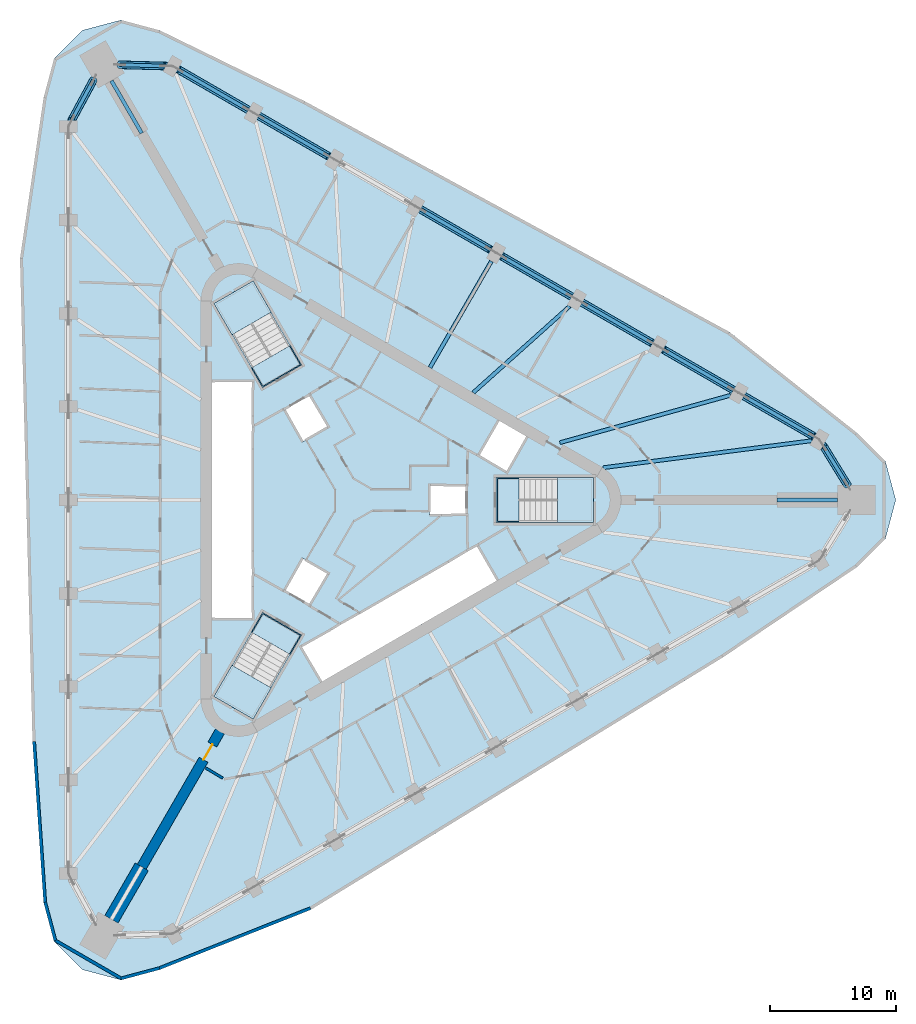
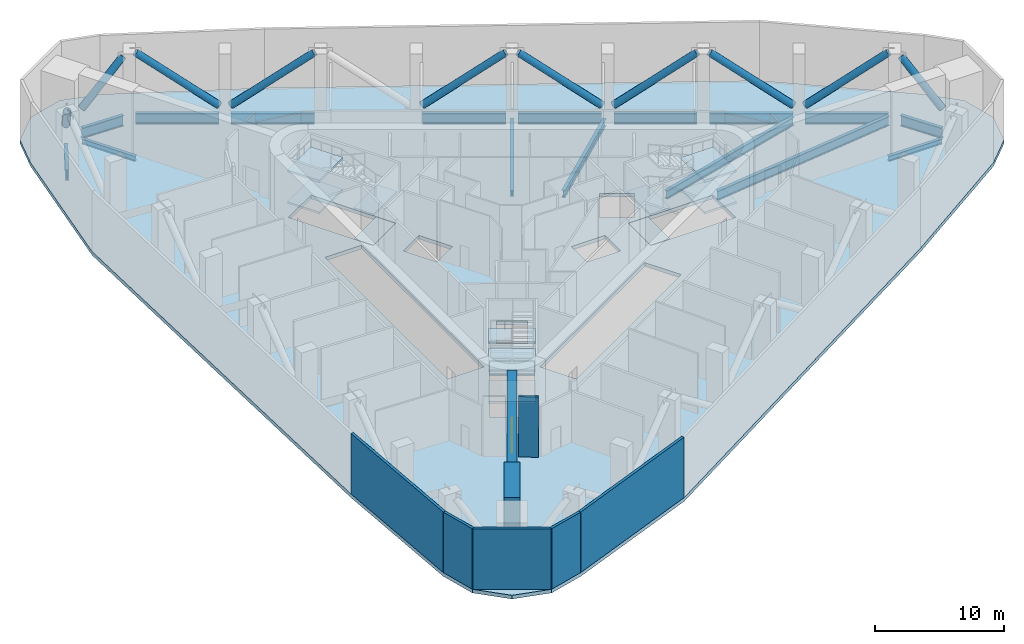
# One storey, part 2 of 13: 16 beams, 13 slabs, 10 members, 8 walls, 1 door, 1 opening, 3 elements without a shape of their own.
"""IFC4 building model written with IfcOpenShell, lengths in metres."""

from ifc_helpers import new_model, si_unit, direction, frame, frame_2d, origin, origin_2d, place, context, subcontext, project, spatial, polyline, rectangle, hollow_circle, i_section, outline, extrude, material, layer, layer_set, material_profile, profile_set, type_object, element, fill, aggregate, save


model = new_model("IFC4")

# Units and contexts
model_context = context("Model", 3, precision=1e-05, world=origin(), true_north=direction((0.0, 1.0)))
body_context = subcontext(model_context, "Body", "Model", "MODEL_VIEW")
ifc_project = project(units=[si_unit("LENGTHUNIT", "METRE"), si_unit("AREAUNIT", "SQUARE_METRE"), si_unit("VOLUMEUNIT", "CUBIC_METRE"), si_unit("PLANEANGLEUNIT", "RADIAN"), si_unit("MASSUNIT", "GRAM", prefix="KILO")], contexts=[model_context])

# Site, building, storey
site_placement = place(None, origin())
site = spatial("IfcSite", under=ifc_project, at=site_placement, CompositionType="ELEMENT")
building_placement = place(site_placement, origin())
building = spatial("IfcBuilding", under=site, at=building_placement, Name="Tanit Gate Tower", CompositionType="ELEMENT")
storey_placement = place(building_placement, frame((0.0, 0.0, 163.199951171875)))
storey = spatial("IfcBuildingStorey", under=building, at=storey_placement, Name="L35", CompositionType="ELEMENT", Elevation=163.199951171875)

# Beams
ifc_material_1 = material(Name="Steel S460", Category="steel")
ifc_material_profile_1 = material_profile(ifc_material_1, i_section(OverallWidth=0.302001953125, OverallDepth=1.008056640625, WebThickness=0.02099609375, FlangeThickness=0.0400390625, FilletRadius=0.030029296875, at=origin_2d()), Name="HEM 1000")
ifc_profile_set_1 = profile_set([ifc_material_profile_1], Name="Steel S460")
beam_type_1 = type_object("IfcBeamType", Name="BELT TRUSS CHORD HEM 1000 S460", PredefinedType="BEAM", material=ifc_profile_set_1)
beam_1_placement = place(storey_placement, frame((39.092529296875, 1.199951171875, -0.85400390625), z_axis=(-0.523601681964, 0.851963190898, 0.0), x_axis=(-0.851963190898, -0.523601681964, 0.0)))
element("IfcBeam", 1, at=beam_1_placement, inside=storey, type_object=beam_type_1, Name="BELT TRUSS CHORD", PredefinedType="BEAM", context=body_context, shape_type="SweptSolid", body=[
    extrude(i_section(OverallWidth=0.302001953125, OverallDepth=1.008056640625, WebThickness=0.02099609375, FlangeThickness=0.0400390625, FilletRadius=0.030029296875, at=origin_2d()), origin(), (0.0, 0.0, 1.0), 3.655029296875),
])
beam_2_placement = place(storey_placement, frame((36.484619140625, 5.01171875, -0.85400390625), z_axis=(-0.866023373617, 0.500003516336, 0.0), x_axis=(-0.500003516336, -0.866023373617, 0.0)))
element("IfcBeam", 2, at=beam_2_placement, inside=storey, type_object=beam_type_1, Name="BELT TRUSS CHORD", PredefinedType="BEAM", context=body_context, shape_type="SweptSolid", body=[
    extrude(i_section(OverallWidth=0.302001953125, OverallDepth=1.008056640625, WebThickness=0.02099609375, FlangeThickness=0.0400390625, FilletRadius=0.030029296875, at=origin_2d()), origin(), (0.0, 0.0, 1.0), 6.44140625),
])
beam_3_placement = place(storey_placement, frame((30.08349609375, 8.707275390625, -0.85400390625), z_axis=(-0.86603284879, 0.49998710465, 0.0), x_axis=(-0.49998710465, -0.86603284879, 0.0)))
element("IfcBeam", 3, at=beam_3_placement, inside=storey, type_object=beam_type_1, Name="BELT TRUSS CHORD", PredefinedType="BEAM", context=body_context, shape_type="SweptSolid", body=[
    extrude(i_section(OverallWidth=0.302001953125, OverallDepth=1.008056640625, WebThickness=0.02099609375, FlangeThickness=0.0400390625, FilletRadius=0.030029296875, at=origin_2d()), origin(), (0.0, 0.0, 1.0), 6.441650390625),
])
for number, where, z_axis, x_axis, name in (
    (4, (23.68212890625, 12.403076171875, -0.85400390625), (-0.866023373617, 0.500003516336, 0.0), (-0.500003516336, -0.866023373617, 0.0), "BELT TRUSS CHORD"),
    (5, (17.281005859375, 16.0986328125, -0.85400390625), (-0.866006961327, 0.500031941914, 0.0), (-0.500031941914, -0.866006961327, 0.0), "BELT TRUSS CHORD"),
    (6, (10.8798828125, 19.79443359375, -0.85400390625), (-0.866023373617, 0.500003516336, 0.0), (-0.500003516336, -0.866023373617, 0.0), "BELT TRUSS CHORD"),
    (7, (-1.922607421875, 27.185791015625, -0.85400390625), (-0.866023373617, 0.500003516336, 0.0), (-0.500003516336, -0.866023373617, 0.0), "BELT TRUSS CHORD"),
    (8, (-8.32373046875, 30.881591796875, -0.85400390625), (-0.866023373617, 0.500003516336, 0.0), (-0.500003516336, -0.866023373617, 0.0), "BELT TRUSS CHORD"),
):
    element("IfcBeam", number, at=place(storey_placement, frame(where, z_axis=z_axis, x_axis=x_axis)), inside=storey, type_object=beam_type_1, Name=name, PredefinedType="BEAM", context=body_context, shape_type="SweptSolid", body=[
        extrude(i_section(OverallWidth=0.302001953125, OverallDepth=1.008056640625, WebThickness=0.02099609375, FlangeThickness=0.0400390625, FilletRadius=0.030029296875, at=origin_2d()), origin(), (0.0, 0.0, 1.0), 6.44140625),
    ])
beam_4_placement = place(storey_placement, frame((-14.853515625, 34.354736328125, -0.85400390625), z_axis=(-0.999623075292, 0.027453730969, 0.0), x_axis=(-0.027453730969, -0.999623075292, 0.0)))
element("IfcBeam", 9, at=beam_4_placement, inside=storey, type_object=beam_type_1, Name="BELT TRUSS CHORD", PredefinedType="BEAM", context=body_context, shape_type="SweptSolid", body=[
    extrude(i_section(OverallWidth=0.302001953125, OverallDepth=1.008056640625, WebThickness=0.02099609375, FlangeThickness=0.0400390625, FilletRadius=0.030029296875, at=origin_2d()), origin(), (0.0, 0.0, 1.0), 3.655029296875),
])
beam_5_placement = place(storey_placement, frame((-20.585693359375, 33.255126953125, -0.85400390625), z_axis=(-0.475943110339, -0.879476068873, 0.0), x_axis=(0.879476068873, -0.475943110339, 0.0)))
element("IfcBeam", 10, at=beam_5_placement, inside=storey, type_object=beam_type_1, Name="BELT TRUSS CHORD", PredefinedType="BEAM", context=body_context, shape_type="SweptSolid", body=[
    extrude(i_section(OverallWidth=0.302001953125, OverallDepth=1.008056640625, WebThickness=0.02099609375, FlangeThickness=0.0400390625, FilletRadius=0.030029296875, at=origin_2d()), origin(), (0.0, 0.0, 1.0), 3.65478515625),
])

# Members
ifc_material_2 = material(Name="Steel S460", Category="steel")
ifc_material_profile_2 = material_profile(ifc_material_2, hollow_circle(Radius=0.304931640625, WallThickness=0.02490234375, at=origin_2d()), Name="CHS 610x25")
ifc_profile_set_2 = profile_set([ifc_material_profile_2], Name="Steel S460")
member_type = type_object("IfcMemberType", Name="BELT TRUSS DIAGONAL CHS 610x25 S460", PredefinedType="BRACE", material=ifc_profile_set_2)
member_1_placement = place(storey_placement, frame((39.092529296875, 1.199951171875, 1.432861328125), z_axis=(-0.367081957181, 0.597286690119, 0.713091471355), x_axis=(-0.851963190898, -0.523601681964, 0.0)))
element("IfcMember", 11, at=member_1_placement, inside=storey, type_object=member_type, Name="BELT TRUSS DIAGONAL", PredefinedType="BRACE", context=body_context, shape_type="SweptSolid", body=[
    extrude(hollow_circle(Radius=0.304931640625, WallThickness=0.02490234375, at=origin_2d()), origin(), (0.0, 0.0, 1.0), 5.213623046875),
])
member_2_placement = place(storey_placement, frame((36.484619140625, 5.01171875, 5.333740234375), z_axis=(-0.685800945135, 0.39592105857, -0.610674691659), x_axis=(-0.499975089142, -0.866039785597, 0.0)))
element("IfcMember", 12, at=member_2_placement, inside=storey, type_object=member_type, Name="BELT TRUSS DIAGONAL", PredefinedType="BRACE", context=body_context, shape_type="SweptSolid", body=[
    extrude(hollow_circle(Radius=0.304931640625, WallThickness=0.02490234375, at=origin_2d()), origin(), (0.0, 0.0, 1.0), 8.134033203125),
])
for number, where, z_axis, x_axis, name in (
    (13, (30.08349609375, 8.707275390625, 0.366455078125), (-0.685808692987, 0.39593821785, 0.610654865099), (-0.49998710465, -0.86603284879, 0.0), "BELT TRUSS DIAGONAL"),
    (14, (23.68212890625, 12.403076171875, 5.333740234375), (-0.685792795347, 0.395946367728, -0.610667434642), (-0.500003516336, -0.866023373617, 0.0), "BELT TRUSS DIAGONAL"),
    (15, (17.281005859375, 16.0986328125, 0.366455078125), (-0.685784645233, 0.395971675984, 0.610660177334), (-0.500031941914, -0.866006961327, 0.0), "BELT TRUSS DIAGONAL"),
    (16, (10.8798828125, 19.79443359375, 5.333740234375), (-0.685808692987, 0.39593821785, -0.610654865099), (-0.49998710465, -0.86603284879, 0.0), "BELT TRUSS DIAGONAL"),
    (17, (-1.92236328125, 27.185791015625, 5.333740234375), (-0.685808692987, 0.39593821785, -0.610654865099), (-0.49998710465, -0.86603284879, 0.0), "BELT TRUSS DIAGONAL"),
    (18, (-8.32373046875, 30.881591796875, 0.366455078125), (-0.685792795347, 0.395946367728, 0.610667434642), (-0.500003516336, -0.866023373617, 0.0), "BELT TRUSS DIAGONAL"),
):
    element("IfcMember", number, at=place(storey_placement, frame(where, z_axis=z_axis, x_axis=x_axis)), inside=storey, type_object=member_type, Name=name, PredefinedType="BRACE", context=body_context, shape_type="SweptSolid", body=[
        extrude(hollow_circle(Radius=0.304931640625, WallThickness=0.02490234375, at=origin_2d()), origin(), (0.0, 0.0, 1.0), 8.13427734375),
    ])
member_3_placement = place(storey_placement, frame((-14.853515625, 34.354736328125, 5.150634765625), z_axis=(-0.70079101275, 0.019246582442, -0.713106952366), x_axis=(-0.027453730969, -0.999623075292, 0.0)))
element("IfcMember", 19, at=member_3_placement, inside=storey, type_object=member_type, Name="BELT TRUSS DIAGONAL", PredefinedType="BRACE", context=body_context, shape_type="SweptSolid", body=[
    extrude(hollow_circle(Radius=0.304931640625, WallThickness=0.02490234375, at=origin_2d()), origin(), (0.0, 0.0, 1.0), 5.21337890625),
])
member_4_placement = place(storey_placement, frame((-20.58544921875, 33.255126953125, 1.432861328125), z_axis=(-0.333699884015, -0.616544018095, 0.713104383074), x_axis=(0.879448107467, -0.475994775468, 0.0)))
element("IfcMember", 20, at=member_4_placement, inside=storey, type_object=member_type, Name="BELT TRUSS DIAGONAL", PredefinedType="BRACE", context=body_context, shape_type="SweptSolid", body=[
    extrude(hollow_circle(Radius=0.304931640625, WallThickness=0.02490234375, at=origin_2d()), origin(), (0.0, 0.0, 1.0), 5.213623046875),
])

# Beams
ifc_material_3 = material(Name="Steel S355", Category="steel")
ifc_material_profile_3 = material_profile(ifc_material_3, i_section(OverallWidth=0.300048828125, OverallDepth=0.489990234375, WebThickness=0.011962890625, FlangeThickness=0.02294921875, FilletRadius=0.027099609375, at=origin_2d()), Name="HEA 500")
ifc_profile_set_3 = profile_set([ifc_material_profile_3], Name="Steel S355")
beam_type_2 = type_object("IfcBeamType", Name="RADIAL GIRDER HEA 500 S355", PredefinedType="BEAM", material=ifc_profile_set_3)
for number, where, z_axis, x_axis, name in (
    (21, (38.330078125, 0.0, -0.594970703125), (-1.0, 0.0, 0.0), (0.0, -1.0, 0.0), "RADIAL GIRDER"),
    (22, (-19.1650390625, 33.19482421875, -0.594970703125), (0.499998569178, -0.866026229868, 0.0), (0.866026229868, 0.499998569178, 0.0), "RADIAL GIRDER"),
):
    element("IfcBeam", number, at=place(storey_placement, frame(where, z_axis=z_axis, x_axis=x_axis)), inside=storey, type_object=beam_type_2, Name=name, PredefinedType="BEAM", context=body_context, shape_type="SweptSolid", body=[
        extrude(i_section(OverallWidth=0.300048828125, OverallDepth=0.489990234375, WebThickness=0.011962890625, FlangeThickness=0.02294921875, FilletRadius=0.027099609375, at=origin_2d()), origin(), (0.0, 0.0, 1.0), 4.79638671875),
    ])
ifc_material_4 = material(Name="Steel S355", Category="steel")
ifc_material_profile_4 = material_profile(ifc_material_4, i_section(OverallWidth=0.300048828125, OverallDepth=0.68994140625, WebThickness=0.014404296875, FlangeThickness=0.027099609375, FilletRadius=0.027099609375, at=origin_2d()), Name="HEA 700")
ifc_profile_set_4 = profile_set([ifc_material_profile_4], Name="Steel S355")
beam_type_3 = type_object("IfcBeamType", Name="RADIAL GIRDER HEA 700 S355", PredefinedType="BEAM", material=ifc_profile_set_4)
beam_6_placement = place(storey_placement, frame((17.104736328125, 15.33447265625, -0.695068359375), z_axis=(-0.744579249177, -0.667534075307, 0.0), x_axis=(0.667534075307, -0.744579249177, 0.0)))
element("IfcBeam", 23, at=beam_6_placement, inside=storey, type_object=beam_type_3, Name="RADIAL GIRDER", PredefinedType="BEAM", context=body_context, shape_type="SweptSolid", body=[
    extrude(i_section(OverallWidth=0.300048828125, OverallDepth=0.68994140625, WebThickness=0.014404296875, FlangeThickness=0.027099609375, FilletRadius=0.027099609375, at=origin_2d()), origin(), (0.0, 0.0, 1.0), 10.23828125),
])
ifc_material_5 = material(Name="Steel S355", Category="steel")
ifc_material_profile_5 = material_profile(ifc_material_5, i_section(OverallWidth=0.300048828125, OverallDepth=0.7900390625, WebThickness=0.014892578125, FlangeThickness=0.028076171875, FilletRadius=0.030029296875, at=origin_2d()), Name="HEA 800")
ifc_profile_set_5 = profile_set([ifc_material_profile_5], Name="Steel S355")
beam_type_4 = type_object("IfcBeamType", Name="RADIAL GIRDER HEA 800 S355", PredefinedType="BEAM", material=ifc_profile_set_5)
beam_7_placement = place(storey_placement, frame((29.841552734375, 8.288330078125, -0.744873046875), z_axis=(-0.9635276455, -0.267608812181, 0.0), x_axis=(0.267608812181, -0.9635276455, 0.0)))
element("IfcBeam", 24, at=beam_7_placement, inside=storey, type_object=beam_type_4, Name="RADIAL GIRDER", PredefinedType="BEAM", context=body_context, shape_type="SweptSolid", body=[
    extrude(i_section(OverallWidth=0.300048828125, OverallDepth=0.7900390625, WebThickness=0.014892578125, FlangeThickness=0.028076171875, FilletRadius=0.030029296875, at=origin_2d()), origin(), (0.0, 0.0, 1.0), 14.01025390625),
])
ifc_material_6 = material(Name="Steel S355", Category="steel")
ifc_material_profile_6 = material_profile(ifc_material_6, i_section(OverallWidth=0.300048828125, OverallDepth=0.889892578125, WebThickness=0.01611328125, FlangeThickness=0.030029296875, FilletRadius=0.030029296875, at=origin_2d()), Name="HEA 900")
ifc_profile_set_6 = profile_set([ifc_material_profile_6], Name="Steel S355")
beam_type_5 = type_object("IfcBeamType", Name="RADIAL GIRDER HEA 900 S355", PredefinedType="BEAM", material=ifc_profile_set_6)
beam_8_placement = place(storey_placement, frame((36.302978515625, 4.697509765625, -0.794921875), z_axis=(-0.991730467471, -0.128338146668, 0.0), x_axis=(0.128338146668, -0.991730467471, 0.0)))
element("IfcBeam", 25, at=beam_8_placement, inside=storey, type_object=beam_type_5, Name="RADIAL GIRDER", PredefinedType="BEAM", context=body_context, shape_type="SweptSolid", body=[
    extrude(i_section(OverallWidth=0.300048828125, OverallDepth=0.889892578125, WebThickness=0.01611328125, FlangeThickness=0.030029296875, FilletRadius=0.030029296875, at=origin_2d()), origin(), (0.0, 0.0, 1.0), 16.683349609375),
])
ifc_material_7 = material(Name="Steel S355", Category="steel")
ifc_material_profile_7 = material_profile(ifc_material_7, i_section(OverallWidth=0.300048828125, OverallDepth=0.60009765625, WebThickness=0.015380859375, FlangeThickness=0.030029296875, FilletRadius=0.027099609375, at=origin_2d()), Name="HEB 600")
ifc_profile_set_7 = profile_set([ifc_material_profile_7], Name="Steel S355")
beam_type_6 = type_object("IfcBeamType", Name="RADIAL GIRDER HEB 600 S355", PredefinedType="BEAM", material=ifc_profile_set_7)
beam_9_placement = place(storey_placement, frame((10.916259765625, 18.907470703125, -0.64990234375), z_axis=(-0.500003351622, -0.866023468716, 0.0), x_axis=(0.866023468716, -0.500003351622, 0.0)))
element("IfcBeam", 26, at=beam_9_placement, inside=storey, type_object=beam_type_6, Name="RADIAL GIRDER", PredefinedType="BEAM", context=body_context, shape_type="SweptSolid", body=[
    extrude(i_section(OverallWidth=0.300048828125, OverallDepth=0.60009765625, WebThickness=0.015380859375, FlangeThickness=0.030029296875, FilletRadius=0.027099609375, at=origin_2d()), origin(), (0.0, 0.0, 1.0), 9.73046875),
])

# Stair, slabs
ifc_material_8 = material(Name="Concrete C40/50", Category="concrete")
stair_type = type_object("IfcStairType", Name="INT-STAIR-EXIT", PredefinedType="HALF_TURN_STAIR", material=ifc_material_8)
stair_1_placement = place(storey_placement, origin())
stair_1 = element("IfcStair", 27, at=stair_1_placement, inside=storey, type_object=stair_type, Name="L35 STAIR S1", PredefinedType="HALF_TURN_STAIR")
ifc_material_9 = material(Name="Concrete C40/50", Category="concrete")
ifc_layer_1 = layer(ifc_material_9, 0.199951171875)
ifc_layer_set_1 = layer_set([ifc_layer_1], Name="INT-STAIR-LANDING")
slab_type_1 = type_object("IfcSlabType", Name="INT-STAIR-LANDING", PredefinedType="LANDING", material=ifc_layer_set_1)
slab_1_placement = place(storey_placement, frame((0.0, 0.0, 1.300048828125)))
slab_1 = element("IfcSlab", 28, at=slab_1_placement, type_object=slab_type_1, Name="S1 landing 1", PredefinedType="LANDING", context=body_context, shape_type="SweptSolid", body=[
    extrude(outline(polyline([(16.135986328125, -1.800048828125), (19.0, -1.800048828125), (19.0, 1.800048828125), (16.135986328125, 1.800048828125), (16.135986328125, -1.800048828125)])), origin(), (0.0, 0.0, 1.0), 0.199951171875),
])
slab_2_placement = place(storey_placement, frame((0.0, 0.0, 2.800048828125)))
slab_2 = element("IfcSlab", 29, at=slab_2_placement, type_object=slab_type_1, Name="S1 landing 2", PredefinedType="LANDING", context=body_context, shape_type="SweptSolid", body=[
    extrude(outline(polyline([(11.300048828125, -1.800048828125), (13.10498046875, -1.800048828125), (13.10498046875, 1.800048828125), (11.300048828125, 1.800048828125), (11.300048828125, -1.800048828125)])), origin(), (0.0, 0.0, 1.0), 0.199951171875),
])
slab_3_placement = place(storey_placement, frame((0.0, 0.0, 4.300048828125)))
slab_3 = element("IfcSlab", 30, at=slab_3_placement, type_object=slab_type_1, Name="S1 landing 3", PredefinedType="LANDING", context=body_context, shape_type="SweptSolid", body=[
    extrude(outline(polyline([(16.135986328125, -1.800048828125), (19.0, -1.800048828125), (19.0, 1.800048828125), (16.135986328125, 1.800048828125), (16.135986328125, -1.800048828125)])), origin(), (0.0, 0.0, 1.0), 0.199951171875),
])
aggregate(stair_1, [slab_1, slab_2, slab_3])

# Slab
slab_4_placement = place(storey_placement, frame((0.0, 0.0, -0.199951171875)))
element("IfcSlab", 31, at=slab_4_placement, inside=storey, type_object=slab_type_1, Name="S1 floor landing", PredefinedType="LANDING", context=body_context, shape_type="SweptSolid", body=[
    extrude(outline(polyline([(11.3798828125, -1.719970703125), (13.10498046875, -1.719970703125), (13.10498046875, 1.719970703125), (11.3798828125, 1.719970703125), (11.3798828125, -1.719970703125)])), origin(), (0.0, 0.0, 1.0), 0.199951171875),
])

# Stair, slabs
stair_2_placement = place(storey_placement, origin())
stair_2 = element("IfcStair", 32, at=stair_2_placement, inside=storey, type_object=stair_type, Name="L35 STAIR S2", PredefinedType="HALF_TURN_STAIR")
slab_5_placement = place(storey_placement, frame((0.0, 0.0, 1.300048828125)))
slab_5 = element("IfcSlab", 33, at=slab_5_placement, type_object=slab_type_1, Name="S2 landing 1", PredefinedType="LANDING", context=body_context, shape_type="SweptSolid", body=[
    extrude(outline(polyline([(-6.5078125, 14.871826171875), (-7.941162109375, 17.3544921875), (-11.058837890625, 15.554443359375), (-9.62548828125, 13.07177734375), (-6.5078125, 14.871826171875)])), origin(), (0.0, 0.0, 1.0), 0.199951171875),
])
slab_6_placement = place(storey_placement, frame((0.0, 0.0, 2.800048828125)))
slab_6 = element("IfcSlab", 34, at=slab_6_placement, type_object=slab_type_1, Name="S2 landing 2", PredefinedType="LANDING", context=body_context, shape_type="SweptSolid", body=[
    extrude(outline(polyline([(-4.091064453125, 10.68603515625), (-4.9931640625, 12.248291015625), (-8.11083984375, 10.448486328125), (-7.208740234375, 8.885986328125), (-4.091064453125, 10.68603515625)])), origin(), (0.0, 0.0, 1.0), 0.199951171875),
])
slab_7_placement = place(storey_placement, frame((0.0, 0.0, 4.300048828125)))
slab_7 = element("IfcSlab", 35, at=slab_7_placement, type_object=slab_type_1, Name="S2 landing 3", PredefinedType="LANDING", context=body_context, shape_type="SweptSolid", body=[
    extrude(outline(polyline([(-6.5078125, 14.871826171875), (-7.941162109375, 17.3544921875), (-11.058837890625, 15.554443359375), (-9.62548828125, 13.07177734375), (-6.5078125, 14.871826171875)])), origin(), (0.0, 0.0, 1.0), 0.199951171875),
])
aggregate(stair_2, [slab_5, slab_6, slab_7])

# Slab
slab_8_placement = place(storey_placement, frame((0.0, 0.0, -0.199951171875)))
element("IfcSlab", 36, at=slab_8_placement, inside=storey, type_object=slab_type_1, Name="S2 floor landing", PredefinedType="LANDING", context=body_context, shape_type="SweptSolid", body=[
    extrude(outline(polyline([(-4.200439453125, 10.71533203125), (-5.0625, 12.20849609375), (-8.04150390625, 10.48828125), (-7.179443359375, 8.995361328125), (-4.200439453125, 10.71533203125)])), origin(), (0.0, 0.0, 1.0), 0.199951171875),
])

# Stair, slabs
stair_3_placement = place(storey_placement, origin())
stair_3 = element("IfcStair", 37, at=stair_3_placement, inside=storey, type_object=stair_type, Name="L35 STAIR S3", PredefinedType="HALF_TURN_STAIR")
slab_9_placement = place(storey_placement, frame((0.0, 0.0, 1.300048828125)))
slab_9 = element("IfcSlab", 38, at=slab_9_placement, type_object=slab_type_1, Name="S3 landing 1", PredefinedType="LANDING", context=body_context, shape_type="SweptSolid", body=[
    extrude(outline(polyline([(-9.626953125, -13.07421875), (-11.058837890625, -15.554443359375), (-7.941162109375, -17.3544921875), (-6.509033203125, -14.874267578125), (-9.626953125, -13.07421875)])), origin(), (0.0, 0.0, 1.0), 0.199951171875),
])
slab_10_placement = place(storey_placement, frame((0.0, 0.0, 2.800048828125)))
slab_10 = element("IfcSlab", 39, at=slab_10_placement, type_object=slab_type_1, Name="S3 landing 2", PredefinedType="LANDING", context=body_context, shape_type="SweptSolid", body=[
    extrude(outline(polyline([(-7.208740234375, -8.885986328125), (-8.111328125, -10.44921875), (-4.99365234375, -12.249267578125), (-4.091064453125, -10.68603515625), (-7.208740234375, -8.885986328125)])), origin(), (0.0, 0.0, 1.0), 0.199951171875),
])
slab_11_placement = place(storey_placement, frame((0.0, 0.0, 4.300048828125)))
slab_11 = element("IfcSlab", 40, at=slab_11_placement, type_object=slab_type_1, Name="S3 landing 3", PredefinedType="LANDING", context=body_context, shape_type="SweptSolid", body=[
    extrude(outline(polyline([(-9.626953125, -13.07421875), (-11.058837890625, -15.554443359375), (-7.941162109375, -17.3544921875), (-6.509033203125, -14.874267578125), (-9.626953125, -13.07421875)])), origin(), (0.0, 0.0, 1.0), 0.199951171875),
])
aggregate(stair_3, [slab_9, slab_10, slab_11])

# Slabs
slab_12_placement = place(storey_placement, frame((0.0, 0.0, -0.199951171875)))
element("IfcSlab", 41, at=slab_12_placement, inside=storey, type_object=slab_type_1, Name="S3 floor landing", PredefinedType="LANDING", context=body_context, shape_type="SweptSolid", body=[
    extrude(outline(polyline([(-7.179443359375, -8.995361328125), (-8.0419921875, -10.4892578125), (-5.06298828125, -12.209228515625), (-4.200439453125, -10.71533203125), (-7.179443359375, -8.995361328125)])), origin(), (0.0, 0.0, 1.0), 0.199951171875),
])
ifc_material_10 = material(Name="Concrete C35/45", Category="concrete")
ifc_layer_2 = layer(ifc_material_10, 0.35009765625)
ifc_layer_set_2 = layer_set([ifc_layer_2], Name="PLANT FLOOR SLAB 350 C35/45")
slab_type_2 = type_object("IfcSlabType", Name="PLANT FLOOR SLAB 350 C35/45", PredefinedType="FLOOR", material=ifc_layer_set_2)
slab_13_placement = place(storey_placement, frame((0.0, 0.0, -0.349853515625)))
element("IfcSlab", 42, at=slab_13_placement, inside=storey, type_object=slab_type_2, Name="FLOOR SLAB L35", PredefinedType="FLOOR", context=body_context, shape_type="SweptSolid", body=[
    extrude(outline(polyline([(39.86279296875, 5.312744140625), (42.1083984375, 3.0673828125), (42.93017578125, 0.0), (42.1083984375, -3.0673828125), (39.86279296875, -5.312744140625), (29.263916015625, -12.447509765625), (-3.356201171875, -32.425537109375), (-15.330322265625, -37.1787109375), (-18.397705078125, -38.00048828125), (-21.465087890625, -37.1787109375), (-23.71044921875, -34.93310546875), (-24.532470703125, -31.86572265625), (-25.41162109375, -19.119384765625), (-26.4033203125, 19.119384765625), (-24.532470703125, 31.86572265625), (-23.71044921875, 34.93310546875), (-21.465087890625, 37.1787109375), (-18.397705078125, 38.00048828125), (-15.330322265625, 37.1787109375), (-3.85205078125, 31.56689453125), (29.759521484375, 13.30615234375), (39.86279296875, 5.312744140625)]), holes=[polyline([(11.3701171875, 1.72998046875), (18.929931640625, 1.72998046875), (18.929931640625, -1.72998046875), (11.3701171875, -1.72998046875), (11.3701171875, 1.72998046875)]), polyline([(9.82080078125, 3.510009765625), (11.44580078125, 6.324462890625), (13.783935546875, 4.974609375), (12.158935546875, 2.159912109375), (9.82080078125, 3.510009765625)]), polyline([(-4.208984375, -11.60986328125), (9.82080078125, -3.510009765625), (11.44580078125, -6.324462890625), (-2.583984375, -14.424560546875), (-4.208984375, -11.60986328125)]), polyline([(6.0, 1.199951171875), (9.0, 1.199951171875), (9.0, -1.199951171875), (6.0, -1.199951171875), (6.0, 1.199951171875)]), polyline([(-5.539306640625, 7.194091796875), (-3.460693359375, 8.394287109375), (-1.960693359375, 5.796142578125), (-4.039306640625, 4.59619140625), (-5.539306640625, 7.194091796875)]), polyline([(-1.960693359375, -5.796142578125), (-3.460693359375, -8.394287109375), (-5.539306640625, -7.194091796875), (-4.039306640625, -4.59619140625), (-1.960693359375, -5.796142578125)]), polyline([(-10.963134765625, 15.52880859375), (-7.966796875, 17.2587890625), (-4.186767578125, 10.711669921875), (-7.18310546875, 8.981689453125), (-10.963134765625, 15.52880859375)]), polyline([(-4.186767578125, -10.711669921875), (-7.966796875, -17.2587890625), (-10.963134765625, -15.52880859375), (-7.18310546875, -8.981689453125), (-4.186767578125, -10.711669921875)]), polyline([(-11.199951171875, -9.449951171875), (-11.199951171875, 9.449951171875), (-7.949951171875, 9.449951171875), (-7.949951171875, -9.449951171875), (-11.199951171875, -9.449951171875)])]), origin(), (0.0, 0.0, 1.0), 0.349853515625),
])

# Wall, opening, door
ifc_material_11 = material(Name="Concrete C60/75", Category="concrete")
ifc_layer_3 = layer(ifc_material_11, 0.800048828125)
ifc_layer_set_3 = layer_set([ifc_layer_3], Name="BUTTRESS FIN 800 C60/75")
wall_type_1 = type_object("IfcWallType", Name="BUTTRESS FIN 800 C60/75", PredefinedType="SHEAR", material=ifc_layer_set_3)
wall_1_placement = place(storey_placement, frame((-10.574951171875, -18.31640625, 0.0), z_axis=(0.0, 0.0, 1.0), x_axis=(-0.500002326941, -0.86602406032, 0.0)))
wall_1 = element("IfcWall", 43, at=wall_1_placement, inside=storey, type_object=wall_type_1, Name="BUTTRESS FIN", PredefinedType="SHEAR", context=body_context, shape_type="SweptSolid", body=[
    extrude(rectangle(XDim=12.3837890625, YDim=0.800048828125, at=frame_2d((6.19189453125, 0.0))), origin(), (0.0, 0.0, 1.0), 6.0),
])
opening_placement = place(wall_1_placement, frame((1.199951171875, 0.0, 0.0)))
opening = element("IfcOpeningElement", 44, at=opening_placement, cuts=wall_1, Name="Opening P14-35-F-SW-1", PredefinedType="OPENING", context=body_context, shape_type="SweptSolid", body=[
    extrude(rectangle(XDim=1.39990234375, YDim=2.39990234375, at=frame_2d((0.699951171875, 1.199951171875))), frame((0.0, 0.41015625, 0.0), z_axis=(0.0, -1.0, 0.0), x_axis=(1.0, 0.0, 0.0)), (0.0, 0.0, 1.0), 0.820068359375),
])
ifc_material_12 = material(Name="Timber door leaf", Category="wood")
door_type = type_object("IfcDoorType", Name="INT-DOOR-FIN-PAIR-1400", OperationType="NOTDEFINED", PredefinedType="NOTDEFINED", material=ifc_material_12)
door_placement = place(opening_placement, origin())
door = element("IfcDoor", 45, at=door_placement, inside=storey, type_object=door_type, Name="Door P14-35-F-SW-1", OperationType="DOUBLE_DOOR_SINGLE_SWING", OverallHeight=2.39990234375, OverallWidth=1.39990234375, PredefinedType="NOTDEFINED", context=body_context, shape_type="SweptSolid", body=[
    extrude(rectangle(XDim=1.39990234375, YDim=2.39990234375, at=frame_2d((0.699951171875, 1.199951171875))), frame((0.0, 0.02490234375, 0.0), z_axis=(0.0, -1.0, 0.0), x_axis=(1.0, 0.0, 0.0)), (0.0, 0.0, 1.0), 0.050048828125),
])
fill(opening, door)

# Walls
ifc_material_13 = material(Name="Concrete C30/37 with bronze anodised aluminium cladding", Category="concrete")
ifc_layer_4 = layer(ifc_material_13, 0.239990234375)
ifc_layer_set_4 = layer_set([ifc_layer_4], Name="Facade wall bronze clad 240")
wall_type_2 = type_object("IfcWallType", Name="Facade wall bronze clad 240", PredefinedType="SOLIDWALL", material=ifc_layer_set_4)
wall_2_placement = place(storey_placement, frame((-25.291748046875, -19.11376953125, 0.0), z_axis=(0.0, 0.0, 1.0), x_axis=(0.068809313335, -0.997629830347, 0.0)))
element("IfcWall", 46, at=wall_2_placement, inside=storey, type_object=wall_type_2, Name="Bronze-clad facade wall L35 W3", PredefinedType="SOLIDWALL", context=body_context, shape_type="SweptSolid", body=[
    extrude(rectangle(XDim=12.762451171875, YDim=0.239990234375, at=frame_2d((6.38134765625, 0.0))), origin(), (0.0, 0.0, 1.0), 5.699951171875),
])
wall_3_placement = place(storey_placement, frame((-24.41357421875, -31.845947265625, 0.0), z_axis=(0.0, 0.0, 1.0), x_axis=(0.258807521156, -0.965928914048, 0.0)))
element("IfcWall", 47, at=wall_3_placement, inside=storey, type_object=wall_type_2, Name="Bronze-clad facade wall L35 SW.arc1", PredefinedType="SOLIDWALL", context=body_context, shape_type="SweptSolid", body=[
    extrude(rectangle(XDim=3.1318359375, YDim=0.239990234375, at=frame_2d((1.56591796875, 0.0))), origin(), (0.0, 0.0, 1.0), 5.699951171875),
])
wall_4_placement = place(storey_placement, frame((-23.60302734375, -34.87109375, 0.0), z_axis=(0.0, 0.0, 1.0), x_axis=(0.866037453254, -0.499979129126, 0.0)))
element("IfcWall", 48, at=wall_4_placement, inside=storey, type_object=wall_type_2, Name="Bronze-clad facade wall L35 SW.arc2", PredefinedType="SOLIDWALL", context=body_context, shape_type="SweptSolid", body=[
    extrude(rectangle(XDim=6.010498046875, YDim=0.239990234375, at=frame_2d((3.00537109375, 0.0))), origin(), (0.0, 0.0, 1.0), 5.699951171875),
])
wall_5_placement = place(storey_placement, frame((-18.397705078125, -37.876220703125, 0.0), z_axis=(0.0, 0.0, 1.0), x_axis=(0.965925466837, 0.258820386593, 0.0)))
element("IfcWall", 49, at=wall_5_placement, inside=storey, type_object=wall_type_2, Name="Bronze-clad facade wall L35 SW.arc3", PredefinedType="SOLIDWALL", context=body_context, shape_type="SweptSolid", body=[
    extrude(rectangle(XDim=3.136474609375, YDim=0.239990234375, at=frame_2d((1.568359375, 0.0))), origin(), (0.0, 0.0, 1.0), 5.699951171875),
])
wall_6_placement = place(storey_placement, frame((-15.3681640625, -37.064453125, 0.0), z_axis=(0.0, 0.0, 1.0), x_axis=(0.929454976671, 0.368935558522, 0.0)))
element("IfcWall", 50, at=wall_6_placement, inside=storey, type_object=wall_type_2, Name="Bronze-clad facade wall L35 SE1", PredefinedType="SOLIDWALL", context=body_context, shape_type="SweptSolid", body=[
    extrude(rectangle(XDim=12.86572265625, YDim=0.239990234375, at=frame_2d((6.432861328125, 0.0))), origin(), (0.0, 0.0, 1.0), 5.699951171875),
])
ifc_material_14 = material(Name="Fire-rated gypsum board partition")
ifc_layer_5 = layer(ifc_material_14, 0.199951171875)
ifc_layer_set_5 = layer_set([ifc_layer_5], Name="INT-WALL-COMPARTMENT")
wall_type_3 = type_object("IfcWallType", Name="INT-WALL-COMPARTMENT", PredefinedType="PARTITIONING", material=ifc_layer_set_5)
wall_7_placement = place(storey_placement, frame((-11.678466796875, -21.227783203125, 0.0), z_axis=(0.0, 0.0, 1.0), x_axis=(0.85913105886, -0.511755628891, 0.0)))
element("IfcWall", 51, at=wall_7_placement, inside=storey, type_object=wall_type_3, Name="Wall Compartment W129", PredefinedType="PARTITIONING", context=body_context, shape_type="SweptSolid", body=[
    extrude(rectangle(XDim=1.547607421875, YDim=0.199951171875, at=frame_2d((0.77392578125, 0.0))), origin(), (0.0, 0.0, 1.0), 5.699951171875),
])
ifc_material_15 = material(Name="Concrete C60/75", Category="concrete")
ifc_layer_6 = layer(ifc_material_15, 1.199951171875)
ifc_layer_set_6 = layer_set([ifc_layer_6], Name="OUTRIGGER WALL 1200 C60/75")
wall_type_4 = type_object("IfcWallType", Name="OUTRIGGER WALL 1200 C60/75", PredefinedType="SHEAR", material=ifc_layer_set_6)
wall_8_placement = place(storey_placement, frame((-16.766845703125, -29.041015625, -0.349853515625), z_axis=(0.0, 0.0, 1.0), x_axis=(-0.499998569178, -0.866026229868, 0.0)))
element("IfcWall", 52, at=wall_8_placement, inside=storey, type_object=wall_type_4, Name="OUTRIGGER WALL", PredefinedType="SHEAR", context=body_context, shape_type="SweptSolid", body=[
    extrude(rectangle(XDim=4.79638671875, YDim=1.199951171875, at=frame_2d((2.398193359375, 0.0))), origin(), (0.0, 0.0, 1.0), 6.349853515625),
])

save(model, "model.ifc")
